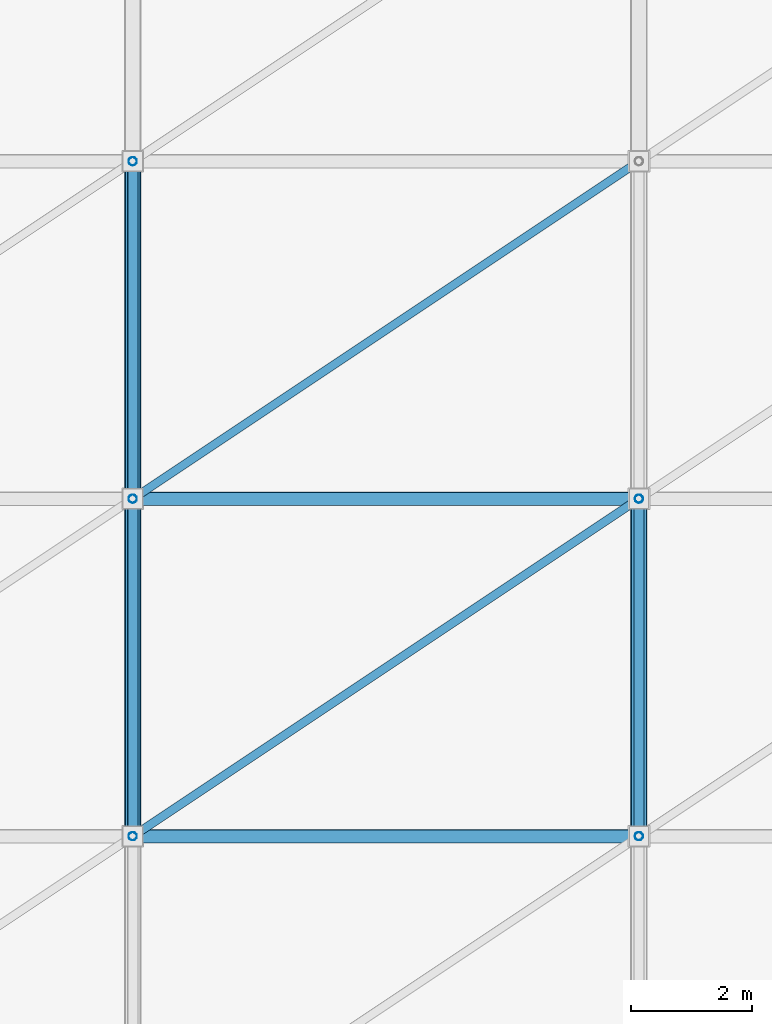
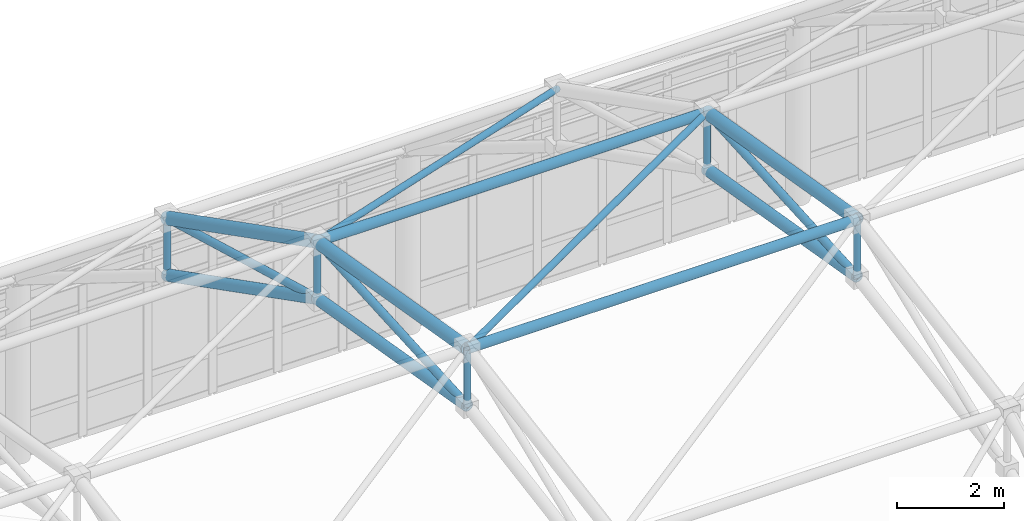
# One storey, part 74 of 184: 18 members.
"""IFC4 building model written with IfcOpenShell, lengths in metres."""

from ifc_helpers import new_model, si_unit, direction, frame, origin, origin_2d, place, context, subcontext, project, spatial, hollow_circle, extrude, material, material_profile, profile_set, type_object, element, save


model = new_model("IFC4")

# Units and contexts
model_context = context("Model", 3, precision=1e-05, world=origin(), true_north=direction((0.0, 1.0)))
body_context = subcontext(model_context, "Body", "Model", "MODEL_VIEW")
ifc_project = project(units=[si_unit("LENGTHUNIT", "METRE"), si_unit("AREAUNIT", "SQUARE_METRE"), si_unit("VOLUMEUNIT", "CUBIC_METRE"), si_unit("PLANEANGLEUNIT", "RADIAN"), si_unit("MASSUNIT", "GRAM", prefix="KILO")], contexts=[model_context])

# Site, building, storey
site_placement = place(None, origin())
site = spatial("IfcSite", under=ifc_project, at=site_placement, CompositionType="ELEMENT")
building_placement = place(site_placement, origin())
building = spatial("IfcBuilding", under=site, at=building_placement, Name="Qalvenar Corner Mobility Hub", CompositionType="ELEMENT")
storey_placement = place(building_placement, frame((0.0, 0.0, 9.0)))
storey = spatial("IfcBuildingStorey", under=building, at=storey_placement, Name="L02", CompositionType="ELEMENT", Elevation=9.0)

# Members
ifc_material = material(Name="Steel S355", Category="steel")
ifc_material_profile_1 = material_profile(ifc_material, hollow_circle(Radius=0.109619140625, WallThickness=0.008056640625, at=origin_2d()), Name="CHS219.1x8")
ifc_profile_set_1 = profile_set([ifc_material_profile_1], Name="Steel S355")
member_type_1 = type_object("IfcMemberType", Name="SF-CHD219", PredefinedType="CHORD", material=ifc_profile_set_1)
for number, where, z_axis, x_axis, name in (
    (1, (67.199951171875, 16.800048828125, 12.659912109375), (1.0, 0.0, 0.0), (0.0, 1.0, 0.0), "Space Frame Longitudinal Chord SFL-0193"),
    (2, (67.199951171875, 22.39990234375, 11.704345703125), (1.0, 0.0, 0.0), (0.0, 1.0, 0.0), "Space Frame Longitudinal Chord SFL-0194"),
):
    element("IfcMember", number, at=place(storey_placement, frame(where, z_axis=z_axis, x_axis=x_axis)), inside=storey, type_object=member_type_1, Name=name, PredefinedType="CHORD", context=body_context, shape_type="SweptSolid", body=[
        extrude(hollow_circle(Radius=0.109619140625, WallThickness=0.008056640625, at=origin_2d()), origin(), (0.0, 0.0, 1.0), 8.400146484375),
    ])
ifc_material_profile_2 = material_profile(ifc_material, hollow_circle(Radius=0.122314453125, WallThickness=0.0087890625, at=origin_2d()), Name="CHS244.5x8.8")
ifc_profile_set_2 = profile_set([ifc_material_profile_2], Name="Steel S355")
member_type_2 = type_object("IfcMemberType", Name="SF-CHD244", PredefinedType="CHORD", material=ifc_profile_set_2)
member_1_placement = place(storey_placement, frame((67.199951171875, 16.800048828125, 11.360107421875), z_axis=(0.0, 0.985744075738, -0.168251648276), x_axis=(-1.0, 0.0, 0.0)))
element("IfcMember", 3, at=member_1_placement, inside=storey, type_object=member_type_2, Name="Space Frame Bottom Chord SFBC-0052", PredefinedType="CHORD", context=body_context, shape_type="SweptSolid", body=[
    extrude(hollow_circle(Radius=0.122314453125, WallThickness=0.0087890625, at=origin_2d()), origin(), (0.0, 0.0, 1.0), 5.680908203125),
])
member_2_placement = place(storey_placement, frame((67.199951171875, 22.39990234375, 10.404296875), z_axis=(0.0, 0.890165077293, -0.455638162547), x_axis=(-1.0, 0.0, 0.0)))
element("IfcMember", 4, at=member_2_placement, inside=storey, type_object=member_type_2, Name="Space Frame Bottom Chord SFBC-0055", PredefinedType="CHORD", context=body_context, shape_type="SweptSolid", body=[
    extrude(hollow_circle(Radius=0.122314453125, WallThickness=0.0087890625, at=origin_2d()), origin(), (0.0, 0.0, 1.0), 6.291015625),
])
member_3_placement = place(storey_placement, frame((75.60009765625, 16.800048828125, 11.360107421875), z_axis=(0.0, 0.985744075738, -0.168251648276), x_axis=(-1.0, 0.0, 0.0)))
element("IfcMember", 5, at=member_3_placement, inside=storey, type_object=member_type_2, Name="Space Frame Bottom Chord SFBC-0073", PredefinedType="CHORD", context=body_context, shape_type="SweptSolid", body=[
    extrude(hollow_circle(Radius=0.122314453125, WallThickness=0.0087890625, at=origin_2d()), origin(), (0.0, 0.0, 1.0), 5.680908203125),
])
ifc_material_profile_3 = material_profile(ifc_material, hollow_circle(Radius=0.136474609375, WallThickness=0.010009765625, at=origin_2d()), Name="CHS273x10")
ifc_profile_set_3 = profile_set([ifc_material_profile_3], Name="Steel S355")
member_type_3 = type_object("IfcMemberType", Name="SF-CHD273", PredefinedType="CHORD", material=ifc_profile_set_3)
member_4_placement = place(storey_placement, frame((67.199951171875, 16.800048828125, 12.659912109375), z_axis=(0.0, 0.985751202632, -0.168209888264), x_axis=(-1.0, 0.0, 0.0)))
element("IfcMember", 6, at=member_4_placement, inside=storey, type_object=member_type_3, Name="Space Frame Top Chord SFTC-0051", PredefinedType="CHORD", context=body_context, shape_type="SweptSolid", body=[
    extrude(hollow_circle(Radius=0.136474609375, WallThickness=0.010009765625, at=origin_2d()), origin(), (0.0, 0.0, 1.0), 5.680908203125),
])
member_5_placement = place(storey_placement, frame((67.199951171875, 22.39990234375, 11.704345703125), z_axis=(0.0, 0.890165077293, -0.455638162547), x_axis=(-1.0, 0.0, 0.0)))
element("IfcMember", 7, at=member_5_placement, inside=storey, type_object=member_type_3, Name="Space Frame Top Chord SFTC-0054", PredefinedType="CHORD", context=body_context, shape_type="SweptSolid", body=[
    extrude(hollow_circle(Radius=0.136474609375, WallThickness=0.010009765625, at=origin_2d()), origin(), (0.0, 0.0, 1.0), 6.291015625),
])
member_6_placement = place(storey_placement, frame((75.60009765625, 16.800048828125, 12.659912109375), z_axis=(0.0, 0.985751202632, -0.168209888264), x_axis=(-1.0, 0.0, 0.0)))
element("IfcMember", 8, at=member_6_placement, inside=storey, type_object=member_type_3, Name="Space Frame Top Chord SFTC-0072", PredefinedType="CHORD", context=body_context, shape_type="SweptSolid", body=[
    extrude(hollow_circle(Radius=0.136474609375, WallThickness=0.010009765625, at=origin_2d()), origin(), (0.0, 0.0, 1.0), 5.680908203125),
])
ifc_material_profile_4 = material_profile(ifc_material, hollow_circle(Radius=0.06982421875, WallThickness=0.0048828125, at=origin_2d()), Name="CHS139.7x5")
ifc_profile_set_4 = profile_set([ifc_material_profile_4], Name="Steel S355")
member_type_4 = type_object("IfcMemberType", Name="SF-STR139", PredefinedType="STRUT", material=ifc_profile_set_4)
member_7_placement = place(storey_placement, frame((67.199951171875, 16.800048828125, 11.360107421875), z_axis=(0.0, 0.0, 1.0), x_axis=(1.0, 0.0, 0.0)))
element("IfcMember", 9, at=member_7_placement, inside=storey, type_object=member_type_4, Name="Space Frame King Strut SFV-0061", PredefinedType="STRUT", context=body_context, shape_type="SweptSolid", body=[
    extrude(hollow_circle(Radius=0.06982421875, WallThickness=0.0048828125, at=origin_2d()), origin(), (0.0, 0.0, 1.0), 1.2998046875),
])
for number, where, z_axis, x_axis, name in (
    (10, (67.199951171875, 22.39990234375, 10.404296875), (0.0, 0.0, 1.0), (1.0, 0.0, 0.0), "Space Frame King Strut SFV-0062"),
    (11, (67.199951171875, 28.0, 7.537841796875), (0.0, 0.0, 1.0), (1.0, 0.0, 0.0), "Space Frame King Strut SFV-0063"),
):
    element("IfcMember", number, at=place(storey_placement, frame(where, z_axis=z_axis, x_axis=x_axis)), inside=storey, type_object=member_type_4, Name=name, PredefinedType="STRUT", context=body_context, shape_type="SweptSolid", body=[
        extrude(hollow_circle(Radius=0.06982421875, WallThickness=0.0048828125, at=origin_2d()), origin(), (0.0, 0.0, 1.0), 1.300048828125),
    ])
member_8_placement = place(storey_placement, frame((75.60009765625, 16.800048828125, 11.360107421875), z_axis=(0.0, 0.0, 1.0), x_axis=(1.0, 0.0, 0.0)))
element("IfcMember", 12, at=member_8_placement, inside=storey, type_object=member_type_4, Name="Space Frame King Strut SFV-0082", PredefinedType="STRUT", context=body_context, shape_type="SweptSolid", body=[
    extrude(hollow_circle(Radius=0.06982421875, WallThickness=0.0048828125, at=origin_2d()), origin(), (0.0, 0.0, 1.0), 1.2998046875),
])
member_9_placement = place(storey_placement, frame((75.60009765625, 22.39990234375, 10.404296875), z_axis=(0.0, 0.0, 1.0), x_axis=(1.0, 0.0, 0.0)))
element("IfcMember", 13, at=member_9_placement, inside=storey, type_object=member_type_4, Name="Space Frame King Strut SFV-0083", PredefinedType="STRUT", context=body_context, shape_type="SweptSolid", body=[
    extrude(hollow_circle(Radius=0.06982421875, WallThickness=0.0048828125, at=origin_2d()), origin(), (0.0, 0.0, 1.0), 1.300048828125),
])
member_10_placement = place(storey_placement, frame((67.199951171875, 16.800048828125, 12.659912109375), z_axis=(0.828359100752, 0.552215325194, -0.094230753054), x_axis=(-0.554683454097, 0.832061455513, 0.0)))
element("IfcMember", 14, at=member_10_placement, inside=storey, type_object=member_type_4, Name="Space Frame Plan Strut SFP-0199", PredefinedType="STRUT", context=body_context, shape_type="SweptSolid", body=[
    extrude(hollow_circle(Radius=0.06982421875, WallThickness=0.0048828125, at=origin_2d()), origin(), (0.0, 0.0, 1.0), 10.140625),
])
member_11_placement = place(storey_placement, frame((67.199951171875, 22.39990234375, 11.704345703125), z_axis=(0.800412915743, 0.533608610495, -0.273131863973), x_axis=(-0.554700196225, 0.832050294338, 0.0)))
element("IfcMember", 15, at=member_11_placement, inside=storey, type_object=member_type_4, Name="Space Frame Plan Strut SFP-0200", PredefinedType="STRUT", context=body_context, shape_type="SweptSolid", body=[
    extrude(hollow_circle(Radius=0.06982421875, WallThickness=0.0048828125, at=origin_2d()), origin(), (0.0, 0.0, 1.0), 10.494873046875),
])
ifc_material_profile_5 = material_profile(ifc_material, hollow_circle(Radius=0.084228515625, WallThickness=0.00634765625, at=origin_2d()), Name="CHS168.3x6.3")
ifc_profile_set_5 = profile_set([ifc_material_profile_5], Name="Steel S355")
member_type_5 = type_object("IfcMemberType", Name="SF-STR168", PredefinedType="STRUT", material=ifc_profile_set_5)
member_12_placement = place(storey_placement, frame((67.199951171875, 16.800048828125, 11.360107421875), z_axis=(0.0, 0.998115889969, 0.061356908264), x_axis=(-1.0, 0.0, 0.0)))
element("IfcMember", 16, at=member_12_placement, inside=storey, type_object=member_type_5, Name="Space Frame Web Strut SFD-0053", PredefinedType="STRUT", context=body_context, shape_type="SweptSolid", body=[
    extrude(hollow_circle(Radius=0.084228515625, WallThickness=0.00634765625, at=origin_2d()), origin(), (0.0, 0.0, 1.0), 5.6103515625),
])
member_13_placement = place(storey_placement, frame((67.199951171875, 22.39990234375, 10.404296875), z_axis=(0.0, 0.963036367481, -0.269371407), x_axis=(-1.0, 0.0, 0.0)))
element("IfcMember", 17, at=member_13_placement, inside=storey, type_object=member_type_5, Name="Space Frame Web Strut SFD-0056", PredefinedType="STRUT", context=body_context, shape_type="SweptSolid", body=[
    extrude(hollow_circle(Radius=0.084228515625, WallThickness=0.00634765625, at=origin_2d()), origin(), (0.0, 0.0, 1.0), 5.81494140625),
])
member_14_placement = place(storey_placement, frame((75.60009765625, 16.800048828125, 11.360107421875), z_axis=(0.0, 0.998115889969, 0.061356908264), x_axis=(-1.0, 0.0, 0.0)))
element("IfcMember", 18, at=member_14_placement, inside=storey, type_object=member_type_5, Name="Space Frame Web Strut SFD-0074", PredefinedType="STRUT", context=body_context, shape_type="SweptSolid", body=[
    extrude(hollow_circle(Radius=0.084228515625, WallThickness=0.00634765625, at=origin_2d()), origin(), (0.0, 0.0, 1.0), 5.6103515625),
])

save(model, "model.ifc")
